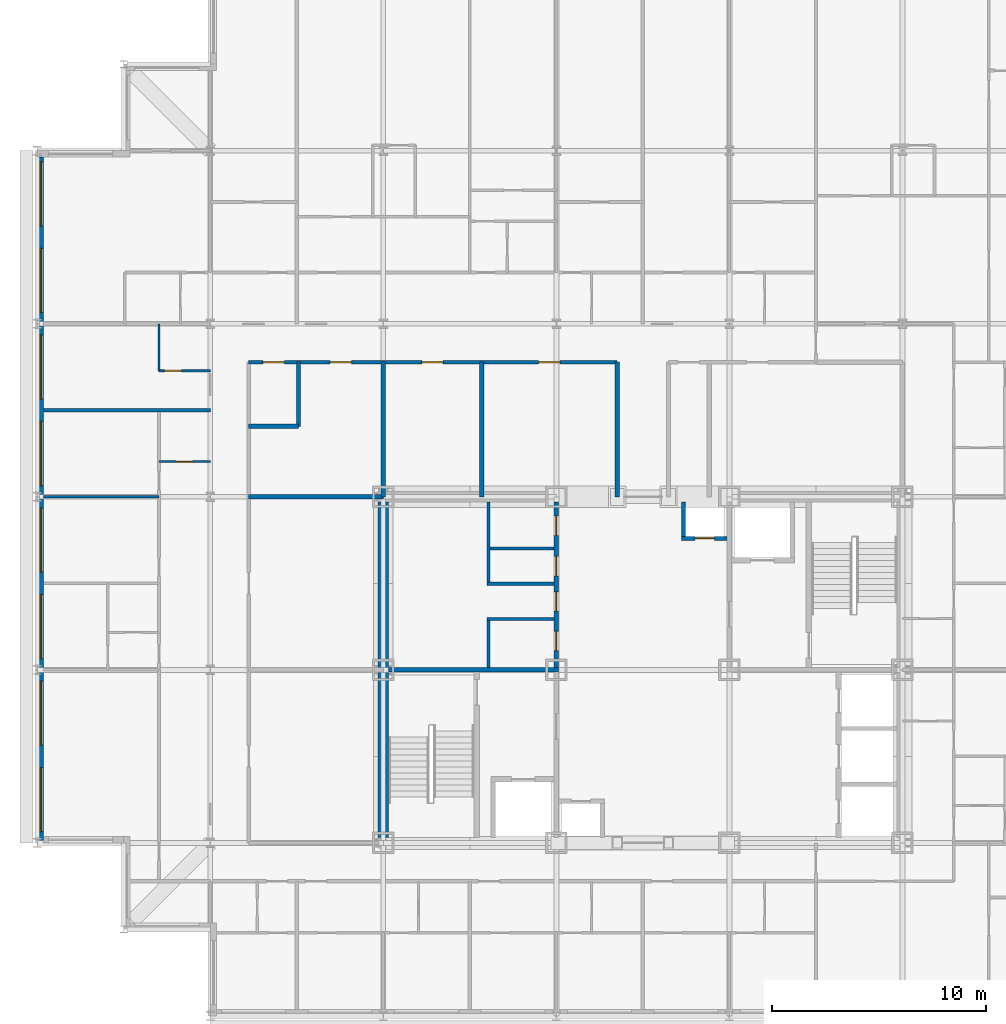
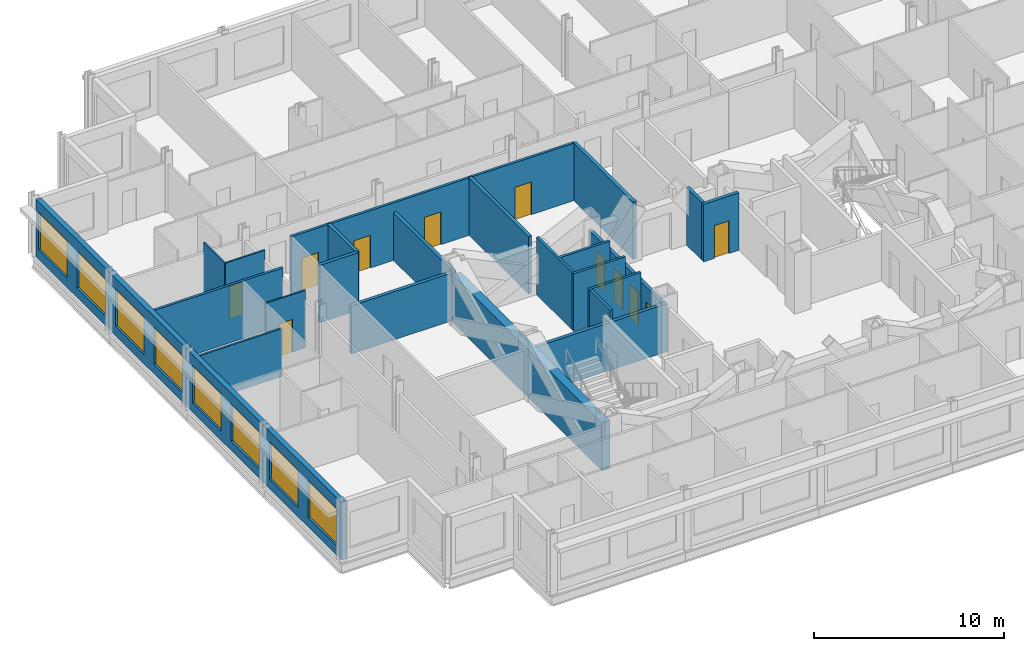
# One storey, part 9 of 16: 23 walls, 11 doors, 8 windows, 19 openings.
"""IFC4 building model written with IfcOpenShell, lengths in metres."""

from ifc_helpers import new_model, si_unit, direction, frame, frame_2d, origin, place, context, subcontext, project, spatial, rectangle, extrude, material, layer, layer_set, type_object, element, fill, save


model = new_model("IFC4")

# Units and contexts
model_context = context("Model", 3, precision=1e-05, world=origin(), true_north=direction((0.0, 1.0)))
body_context = subcontext(model_context, "Body", "Model", "MODEL_VIEW")
ifc_project = project(units=[si_unit("LENGTHUNIT", "METRE"), si_unit("AREAUNIT", "SQUARE_METRE"), si_unit("VOLUMEUNIT", "CUBIC_METRE"), si_unit("PLANEANGLEUNIT", "RADIAN"), si_unit("MASSUNIT", "GRAM", prefix="KILO")], contexts=[model_context])

# Site, building, storey
site_placement = place(None, origin())
site = spatial("IfcSite", under=ifc_project, at=site_placement, CompositionType="ELEMENT")
building_placement = place(site_placement, origin())
building = spatial("IfcBuilding", under=site, at=building_placement, Name="Kopane Lantern Tower", CompositionType="ELEMENT")
storey_placement = place(building_placement, frame((0.0, 0.0, 265.800048828125)))
storey = spatial("IfcBuildingStorey", under=building, at=storey_placement, Name="L68", CompositionType="ELEMENT", Elevation=265.800048828125)

# Wall
ifc_material_1 = material(Name="Gypsum board on steel studs", Category="steel")
ifc_layer_1 = layer(ifc_material_1, 0.1201171875)
ifc_layer_set_1 = layer_set([ifc_layer_1], Name="APARTMENT INTERNAL WALL 120")
wall_type_1 = type_object("IfcWallType", Name="APARTMENT INTERNAL WALL 120", PredefinedType="PARTITIONING", material=ifc_layer_set_1)
wall_1_placement = place(storey_placement, frame((5.699951171875, 40.5, 0.0), z_axis=(0.0, 0.0, 1.0), x_axis=(-1.0, 0.0, 0.0)))
element("IfcWall", 1, at=wall_1_placement, inside=storey, type_object=wall_type_1, Name="Apartment Internal Wall 120 L68", PredefinedType="PARTITIONING", context=body_context, shape_type="SweptSolid", body=[
    extrude(rectangle(XDim=5.39990234375, YDim=0.1201171875, at=frame_2d((2.699951171875, 0.0))), origin(), (0.0, 0.0, 1.0), 3.07763671875),
])

# Wall, opening, door
ifc_material_2 = material(Name="Moisture-resistant board on steel studs", Category="steel")
ifc_layer_2 = layer(ifc_material_2, 0.10009765625)
ifc_layer_set_2 = layer_set([ifc_layer_2], Name="BATHROOM WALL 100")
wall_type_2 = type_object("IfcWallType", Name="BATHROOM WALL 100", PredefinedType="PARTITIONING", material=ifc_layer_set_2)
wall_2_placement = place(storey_placement, frame((8.10009765625, 42.14990234375, 0.0), z_axis=(0.0, 0.0, 1.0), x_axis=(-1.0, 0.0, 0.0)))
wall_2 = element("IfcWall", 2, at=wall_2_placement, inside=storey, type_object=wall_type_2, Name="Bathroom Wall 100 L68", PredefinedType="PARTITIONING", context=body_context, shape_type="SweptSolid", body=[
    extrude(rectangle(XDim=2.400146484375, YDim=0.10009765625, at=frame_2d((1.2001953125, 0.0))), origin(), (0.0, 0.0, 1.0), 3.68994140625),
])
opening_1_placement = place(wall_2_placement, frame((0.800048828125, 0.0, 0.0)))
opening_1 = element("IfcOpeningElement", 3, at=opening_1_placement, cuts=wall_2, Name="Opening L68-031", PredefinedType="OPENING", context=body_context, shape_type="SweptSolid", body=[
    extrude(rectangle(XDim=0.800048828125, YDim=2.10009765625, at=frame_2d((0.39990234375, 1.050048828125))), frame((0.0, 0.06005859375, 0.0), z_axis=(0.0, -1.0, 0.0), x_axis=(1.0, 0.0, 0.0)), (0.0, 0.0, 1.0), 0.1201171875),
])
ifc_material_3 = material(Name="Timber door set", Category="wood")
door_type_1 = type_object("IfcDoorType", Name="DOOR D2 800x2100", OperationType="SINGLE_SWING_LEFT", PredefinedType="DOOR", material=ifc_material_3)
door_1_placement = place(opening_1_placement, origin())
door_1 = element("IfcDoor", 4, at=door_1_placement, inside=storey, type_object=door_type_1, Name="Door L68-031", OperationType="SINGLE_SWING_RIGHT", OverallHeight=2.10009765625, OverallWidth=0.800048828125, PredefinedType="DOOR", context=body_context, shape_type="SweptSolid", body=[
    extrude(rectangle(XDim=0.800048828125, YDim=2.10009765625, at=frame_2d((0.39990234375, 1.050048828125))), frame((0.0, 0.02490234375, 0.0), z_axis=(0.0, -1.0, 0.0), x_axis=(1.0, 0.0, 0.0)), (0.0, 0.0, 1.0), 0.050048828125),
])
fill(opening_1, door_1)

# Wall
wall_3_placement = place(storey_placement, frame((5.699951171875, 46.39990234375, 0.0), z_axis=(0.0, 0.0, 1.0), x_axis=(0.0, 1.0, 0.0)))
element("IfcWall", 5, at=wall_3_placement, inside=storey, type_object=wall_type_2, Name="Bathroom Wall 100 L68", PredefinedType="PARTITIONING", context=body_context, shape_type="SweptSolid", body=[
    extrude(rectangle(XDim=2.2001953125, YDim=0.10009765625, at=frame_2d((1.10009765625, 0.0))), origin(), (0.0, 0.0, 1.0), 3.68994140625),
])

# Wall, opening, door
wall_4_placement = place(storey_placement, frame((8.10009765625, 46.39990234375, 0.0), z_axis=(0.0, 0.0, 1.0), x_axis=(-1.0, 0.0, 0.0)))
wall_4 = element("IfcWall", 6, at=wall_4_placement, inside=storey, type_object=wall_type_2, Name="Bathroom Wall 100 L68", PredefinedType="PARTITIONING", context=body_context, shape_type="SweptSolid", body=[
    extrude(rectangle(XDim=2.400146484375, YDim=0.10009765625, at=frame_2d((1.2001953125, 0.0))), origin(), (0.0, 0.0, 1.0), 3.68994140625),
])
opening_2_placement = place(wall_4_placement, frame((1.35009765625, 0.0, 0.0)))
opening_2 = element("IfcOpeningElement", 7, at=opening_2_placement, cuts=wall_4, Name="Opening L68-038", PredefinedType="OPENING", context=body_context, shape_type="SweptSolid", body=[
    extrude(rectangle(XDim=0.800048828125, YDim=2.10009765625, at=frame_2d((0.39990234375, 1.050048828125))), frame((0.0, 0.06005859375, 0.0), z_axis=(0.0, -1.0, 0.0), x_axis=(1.0, 0.0, 0.0)), (0.0, 0.0, 1.0), 0.1201171875),
])
door_2_placement = place(opening_2_placement, origin())
door_2 = element("IfcDoor", 8, at=door_2_placement, inside=storey, type_object=door_type_1, Name="Door L68-038", OperationType="SINGLE_SWING_LEFT", OverallHeight=2.10009765625, OverallWidth=0.800048828125, PredefinedType="DOOR", context=body_context, shape_type="SweptSolid", body=[
    extrude(rectangle(XDim=0.800048828125, YDim=2.10009765625, at=frame_2d((0.39990234375, 1.050048828125))), frame((0.0, 0.02490234375, 0.0), z_axis=(0.0, -1.0, 0.0), x_axis=(1.0, 0.0, 0.0)), (0.0, 0.0, 1.0), 0.050048828125),
])
fill(opening_2, door_2)

# Walls
ifc_material_4 = material(Name="Gypsum shaft wall EI 120", Category="gypsum")
ifc_layer_3 = layer(ifc_material_4, 0.5)
ifc_layer_set_3 = layer_set([ifc_layer_3], Name="CORE PERIMETER WALL 500 EI 120")
wall_type_3 = type_object("IfcWallType", Name="CORE PERIMETER WALL 500 EI 120", PredefinedType="SOLIDWALL", material=ifc_layer_set_3)
wall_5_placement = place(storey_placement, frame((16.199951171875, 24.550048828125, 0.0), z_axis=(0.0, 0.0, 1.0), x_axis=(0.0, 1.0, 0.0)))
element("IfcWall", 9, at=wall_5_placement, inside=storey, type_object=wall_type_3, Name="Core shaft wall L68 PW", PredefinedType="SOLIDWALL", context=body_context, shape_type="SweptSolid", body=[
    extrude(rectangle(XDim=15.699951171875, YDim=0.5, at=frame_2d((7.85009765625, 0.0))), origin(), (0.0, 0.0, 1.0), 3.07763671875),
])
ifc_material_5 = material(Name="Gypsum partition EI 60", Category="gypsum")
ifc_layer_4 = layer(ifc_material_5, 0.14990234375)
ifc_layer_set_4 = layer_set([ifc_layer_4], Name="CORE ROOM PARTITION 150 EI 60")
wall_type_4 = type_object("IfcWallType", Name="CORE ROOM PARTITION 150 EI 60", PredefinedType="PARTITIONING", material=ifc_layer_set_4)
for number, where, z_axis, x_axis, name in (
    (10, (21.050048828125, 34.77490234375, 0.0), (0.0, 0.0, 1.0), (1.0, 0.0, 0.0), "Core room partition L68 WW1"),
    (11, (21.050048828125, 36.425048828125, 0.0), (0.0, 0.0, 1.0), (1.0, 0.0, 0.0), "Core room partition L68 WW2"),
):
    element("IfcWall", number, at=place(storey_placement, frame(where, z_axis=z_axis, x_axis=x_axis)), inside=storey, type_object=wall_type_4, Name=name, PredefinedType="PARTITIONING", context=body_context, shape_type="SweptSolid", body=[
        extrude(rectangle(XDim=3.14990234375, YDim=0.14990234375, at=frame_2d((1.574951171875, 0.0))), origin(), (0.0, 0.0, 1.0), 3.68994140625),
    ])
wall_6_placement = place(storey_placement, frame((21.199951171875, 38.074951171875, 0.0), z_axis=(0.0, 0.0, 1.0), x_axis=(1.0, 0.0, 0.0)))
element("IfcWall", 12, at=wall_6_placement, inside=storey, type_object=wall_type_4, Name="Core room partition L68 WW3", PredefinedType="PARTITIONING", context=body_context, shape_type="SweptSolid", body=[
    extrude(rectangle(XDim=3.0, YDim=0.14990234375, at=frame_2d((1.5, 0.0))), origin(), (0.0, 0.0, 1.0), 3.68994140625),
])
wall_7_placement = place(storey_placement, frame((21.125, 32.5, 0.0), z_axis=(0.0, 0.0, 1.0), x_axis=(0.0, 1.0, 0.0)))
element("IfcWall", 13, at=wall_7_placement, inside=storey, type_object=wall_type_4, Name="Core room partition L68 WWB0", PredefinedType="PARTITIONING", context=body_context, shape_type="SweptSolid", body=[
    extrude(rectangle(XDim=2.199951171875, YDim=0.14990234375, at=frame_2d((1.10009765625, 0.0))), origin(), (0.0, 0.0, 1.0), 3.68994140625),
])
wall_8_placement = place(storey_placement, frame((21.125, 36.5, 0.0), z_axis=(0.0, 0.0, 1.0), x_axis=(0.0, 1.0, 0.0)))
element("IfcWall", 14, at=wall_8_placement, inside=storey, type_object=wall_type_4, Name="Core room partition L68 WWB1", PredefinedType="PARTITIONING", context=body_context, shape_type="SweptSolid", body=[
    extrude(rectangle(XDim=3.75, YDim=0.14990234375, at=frame_2d((1.875, 0.0))), origin(), (0.0, 0.0, 1.0), 3.68994140625),
])

# Wall, openings, doors
ifc_material_6 = material(Name="Gypsum partition EI 60", Category="gypsum")
ifc_layer_5 = layer(ifc_material_6, 0.199951171875)
ifc_layer_set_5 = layer_set([ifc_layer_5], Name="CORE ROOM WALL 200 EI 60")
wall_type_5 = type_object("IfcWallType", Name="CORE ROOM WALL 200 EI 60", PredefinedType="PARTITIONING", material=ifc_layer_set_5)
wall_9_placement = place(storey_placement, frame((24.300048828125, 32.5, 0.0), z_axis=(0.0, 0.0, 1.0), x_axis=(0.0, 1.0, 0.0)))
wall_9 = element("IfcWall", 15, at=wall_9_placement, inside=storey, type_object=wall_type_5, Name="Core room wall L68 XW", PredefinedType="PARTITIONING", context=body_context, shape_type="SweptSolid", body=[
    extrude(rectangle(XDim=7.75, YDim=0.199951171875, at=frame_2d((3.875, 0.0))), origin(), (0.0, 0.0, 1.0), 3.07763671875),
])
opening_3_placement = place(wall_9_placement, frame((0.800048828125, 0.0, 0.0)))
opening_3 = element("IfcOpeningElement", 16, at=opening_3_placement, cuts=wall_9, Name="Opening 68.C30", PredefinedType="OPENING", context=body_context, shape_type="SweptSolid", body=[
    extrude(rectangle(XDim=0.89990234375, YDim=2.10009765625, at=frame_2d((0.449951171875, 1.050048828125))), frame((0.0, 0.10986328125, 0.0), z_axis=(0.0, -1.0, 0.0), x_axis=(1.0, 0.0, 0.0)), (0.0, 0.0, 1.0), 0.219970703125),
])
opening_4_placement = place(wall_9_placement, frame((2.64990234375, 0.0, 0.0)))
opening_4 = element("IfcOpeningElement", 17, at=opening_4_placement, cuts=wall_9, Name="Opening 68.C31", PredefinedType="OPENING", context=body_context, shape_type="SweptSolid", body=[
    extrude(rectangle(XDim=0.89990234375, YDim=2.10009765625, at=frame_2d((0.449951171875, 1.050048828125))), frame((0.0, 0.10986328125, 0.0), z_axis=(0.0, -1.0, 0.0), x_axis=(1.0, 0.0, 0.0)), (0.0, 0.0, 1.0), 0.219970703125),
])
opening_5_placement = place(wall_9_placement, frame((4.300048828125, 0.0, 0.0)))
opening_5 = element("IfcOpeningElement", 18, at=opening_5_placement, cuts=wall_9, Name="Opening 68.C32", PredefinedType="OPENING", context=body_context, shape_type="SweptSolid", body=[
    extrude(rectangle(XDim=0.89990234375, YDim=2.10009765625, at=frame_2d((0.449951171875, 1.050048828125))), frame((0.0, 0.10986328125, 0.0), z_axis=(0.0, -1.0, 0.0), x_axis=(1.0, 0.0, 0.0)), (0.0, 0.0, 1.0), 0.219970703125),
])
opening_6_placement = place(wall_9_placement, frame((6.199951171875, 0.0, 0.0)))
opening_6 = element("IfcOpeningElement", 19, at=opening_6_placement, cuts=wall_9, Name="Opening 68.C33", PredefinedType="OPENING", context=body_context, shape_type="SweptSolid", body=[
    extrude(rectangle(XDim=0.89990234375, YDim=2.10009765625, at=frame_2d((0.449951171875, 1.050048828125))), frame((0.0, 0.10986328125, 0.0), z_axis=(0.0, -1.0, 0.0), x_axis=(1.0, 0.0, 0.0)), (0.0, 0.0, 1.0), 0.219970703125),
])
ifc_material_7 = material(Name="Steel door set", Category="steel")
door_type_2 = type_object("IfcDoorType", Name="CORE ROOM DOOR 900x2100 FD60", OperationType="SINGLE_SWING_LEFT", PredefinedType="DOOR", material=ifc_material_7)
door_3_placement = place(opening_3_placement, origin())
door_3 = element("IfcDoor", 20, at=door_3_placement, inside=storey, type_object=door_type_2, Name="Door Refuse room L68", OperationType="SINGLE_SWING_RIGHT", OverallHeight=2.10009765625, OverallWidth=0.89990234375, PredefinedType="DOOR", context=body_context, shape_type="SweptSolid", body=[
    extrude(rectangle(XDim=0.89990234375, YDim=2.10009765625, at=frame_2d((0.449951171875, 1.050048828125))), frame((0.0, 0.02490234375, 0.0), z_axis=(0.0, -1.0, 0.0), x_axis=(1.0, 0.0, 0.0)), (0.0, 0.0, 1.0), 0.050048828125),
])
fill(opening_3, door_3)
door_4_placement = place(opening_4_placement, origin())
door_4 = element("IfcDoor", 21, at=door_4_placement, inside=storey, type_object=door_type_2, Name="Door Residents storage L68", OperationType="SINGLE_SWING_RIGHT", OverallHeight=2.10009765625, OverallWidth=0.89990234375, PredefinedType="DOOR", context=body_context, shape_type="SweptSolid", body=[
    extrude(rectangle(XDim=0.89990234375, YDim=2.10009765625, at=frame_2d((0.449951171875, 1.050048828125))), frame((0.0, 0.02490234375, 0.0), z_axis=(0.0, -1.0, 0.0), x_axis=(1.0, 0.0, 0.0)), (0.0, 0.0, 1.0), 0.050048828125),
])
fill(opening_4, door_4)
door_5_placement = place(opening_5_placement, origin())
door_5 = element("IfcDoor", 22, at=door_5_placement, inside=storey, type_object=door_type_2, Name="Door Cleaner store L68", OperationType="SINGLE_SWING_LEFT", OverallHeight=2.10009765625, OverallWidth=0.89990234375, PredefinedType="DOOR", context=body_context, shape_type="SweptSolid", body=[
    extrude(rectangle(XDim=0.89990234375, YDim=2.10009765625, at=frame_2d((0.449951171875, 1.050048828125))), frame((0.0, 0.02490234375, 0.0), z_axis=(0.0, -1.0, 0.0), x_axis=(1.0, 0.0, 0.0)), (0.0, 0.0, 1.0), 0.050048828125),
])
fill(opening_5, door_5)
door_6_placement = place(opening_6_placement, origin())
door_6 = element("IfcDoor", 23, at=door_6_placement, inside=storey, type_object=door_type_2, Name="Door IT room L68", OperationType="SINGLE_SWING_LEFT", OverallHeight=2.10009765625, OverallWidth=0.89990234375, PredefinedType="DOOR", context=body_context, shape_type="SweptSolid", body=[
    extrude(rectangle(XDim=0.89990234375, YDim=2.10009765625, at=frame_2d((0.449951171875, 1.050048828125))), frame((0.0, 0.02490234375, 0.0), z_axis=(0.0, -1.0, 0.0), x_axis=(1.0, 0.0, 0.0)), (0.0, 0.0, 1.0), 0.050048828125),
])
fill(opening_6, door_6)

ifc_material_8 = material(Name="Gypsum board on steel studs", Category="steel")
ifc_layer_6 = layer(ifc_material_8, 0.14990234375)
ifc_layer_set_6 = layer_set([ifc_layer_6], Name="CORRIDOR WALL 150 EI 60")
wall_type_6 = type_object("IfcWallType", Name="CORRIDOR WALL 150 EI 60", PredefinedType="PARTITIONING", material=ifc_layer_set_6)
wall_10_placement = place(storey_placement, frame((9.89990234375, 46.800048828125, 0.0), z_axis=(0.0, 0.0, 1.0), x_axis=(1.0, 0.0, 0.0)))
wall_10 = element("IfcWall", 24, at=wall_10_placement, inside=storey, type_object=wall_type_6, Name="Corridor Wall 150 Ei 60 L68", PredefinedType="PARTITIONING", context=body_context, shape_type="SweptSolid", body=[
    extrude(rectangle(XDim=17.239990234375, YDim=0.14990234375, at=frame_2d((8.6201171875, 0.0))), origin(), (0.0, 0.0, 1.0), 3.68994140625),
])
opening_7_placement = place(wall_10_placement, frame((0.666748046875, 0.0, 0.0)))
opening_7 = element("IfcOpeningElement", 25, at=opening_7_placement, cuts=wall_10, Name="Opening L68-003", PredefinedType="OPENING", context=body_context, shape_type="SweptSolid", body=[
    extrude(rectangle(XDim=1.0, YDim=2.10009765625, at=frame_2d((0.5, 1.050048828125))), frame((0.0, 0.0849609375, 0.0), z_axis=(0.0, -1.0, 0.0), x_axis=(1.0, 0.0, 0.0)), (0.0, 0.0, 1.0), 0.169921875),
])
opening_8_placement = place(wall_10_placement, frame((3.816650390625, 0.0, 0.0)))
opening_8 = element("IfcOpeningElement", 26, at=opening_8_placement, cuts=wall_10, Name="Opening L68-004", PredefinedType="OPENING", context=body_context, shape_type="SweptSolid", body=[
    extrude(rectangle(XDim=1.0, YDim=2.10009765625, at=frame_2d((0.5, 1.050048828125))), frame((0.0, 0.0849609375, 0.0), z_axis=(0.0, -1.0, 0.0), x_axis=(1.0, 0.0, 0.0)), (0.0, 0.0, 1.0), 0.169921875),
])
opening_9_placement = place(wall_10_placement, frame((8.1015625, 0.0, 0.0)))
opening_9 = element("IfcOpeningElement", 27, at=opening_9_placement, cuts=wall_10, Name="Opening L68-005", PredefinedType="OPENING", context=body_context, shape_type="SweptSolid", body=[
    extrude(rectangle(XDim=1.0, YDim=2.10009765625, at=frame_2d((0.5, 1.050048828125))), frame((0.0, 0.0849609375, 0.0), z_axis=(0.0, -1.0, 0.0), x_axis=(1.0, 0.0, 0.0)), (0.0, 0.0, 1.0), 0.169921875),
])
opening_10_placement = place(wall_10_placement, frame((13.57666015625, 0.0, 0.0)))
opening_10 = element("IfcOpeningElement", 28, at=opening_10_placement, cuts=wall_10, Name="Opening L68-006", PredefinedType="OPENING", context=body_context, shape_type="SweptSolid", body=[
    extrude(rectangle(XDim=1.0, YDim=2.10009765625, at=frame_2d((0.5, 1.050048828125))), frame((0.0, 0.0849609375, 0.0), z_axis=(0.0, -1.0, 0.0), x_axis=(1.0, 0.0, 0.0)), (0.0, 0.0, 1.0), 0.169921875),
])
ifc_material_9 = material(Name="Steel door set", Category="steel")
door_type_3 = type_object("IfcDoorType", Name="DOOR D5 1000x2100 FD60", OperationType="SINGLE_SWING_LEFT", PredefinedType="DOOR", material=ifc_material_9)
door_7_placement = place(opening_7_placement, origin())
door_7 = element("IfcDoor", 29, at=door_7_placement, inside=storey, type_object=door_type_3, Name="Door L68-003", OperationType="SINGLE_SWING_RIGHT", OverallHeight=2.10009765625, OverallWidth=1.0, PredefinedType="DOOR", context=body_context, shape_type="SweptSolid", body=[
    extrude(rectangle(XDim=1.0, YDim=2.10009765625, at=frame_2d((0.5, 1.050048828125))), frame((0.0, 0.02490234375, 0.0), z_axis=(0.0, -1.0, 0.0), x_axis=(1.0, 0.0, 0.0)), (0.0, 0.0, 1.0), 0.050048828125),
])
fill(opening_7, door_7)
door_8_placement = place(opening_8_placement, origin())
door_8 = element("IfcDoor", 30, at=door_8_placement, inside=storey, type_object=door_type_3, Name="Door L68-004", OperationType="SINGLE_SWING_LEFT", OverallHeight=2.10009765625, OverallWidth=1.0, PredefinedType="DOOR", context=body_context, shape_type="SweptSolid", body=[
    extrude(rectangle(XDim=1.0, YDim=2.10009765625, at=frame_2d((0.5, 1.050048828125))), frame((0.0, 0.02490234375, 0.0), z_axis=(0.0, -1.0, 0.0), x_axis=(1.0, 0.0, 0.0)), (0.0, 0.0, 1.0), 0.050048828125),
])
fill(opening_8, door_8)
door_9_placement = place(opening_9_placement, origin())
door_9 = element("IfcDoor", 31, at=door_9_placement, inside=storey, type_object=door_type_3, Name="Door L68-005", OperationType="SINGLE_SWING_RIGHT", OverallHeight=2.10009765625, OverallWidth=1.0, PredefinedType="DOOR", context=body_context, shape_type="SweptSolid", body=[
    extrude(rectangle(XDim=1.0, YDim=2.10009765625, at=frame_2d((0.5, 1.050048828125))), frame((0.0, 0.02490234375, 0.0), z_axis=(0.0, -1.0, 0.0), x_axis=(1.0, 0.0, 0.0)), (0.0, 0.0, 1.0), 0.050048828125),
])
fill(opening_9, door_9)
door_10_placement = place(opening_10_placement, origin())
door_10 = element("IfcDoor", 32, at=door_10_placement, inside=storey, type_object=door_type_3, Name="Door L68-006", OperationType="SINGLE_SWING_LEFT", OverallHeight=2.10009765625, OverallWidth=1.0, PredefinedType="DOOR", context=body_context, shape_type="SweptSolid", body=[
    extrude(rectangle(XDim=1.0, YDim=2.10009765625, at=frame_2d((0.5, 1.050048828125))), frame((0.0, 0.02490234375, 0.0), z_axis=(0.0, -1.0, 0.0), x_axis=(1.0, 0.0, 0.0)), (0.0, 0.0, 1.0), 0.050048828125),
])
fill(opening_10, door_10)

# Wall
ifc_material_10 = material(Name="Gypsum board on steel studs", Category="steel")
ifc_layer_7 = layer(ifc_material_10, 0.14990234375)
ifc_layer_set_7 = layer_set([ifc_layer_7], Name="DEMISING WALL 150 EI 60")
wall_type_7 = type_object("IfcWallType", Name="DEMISING WALL 150 EI 60", PredefinedType="PARTITIONING", material=ifc_layer_set_7)
wall_11_placement = place(storey_placement, frame((8.10009765625, 44.550048828125, 0.0), z_axis=(0.0, 0.0, 1.0), x_axis=(-1.0, 0.0, 0.0)))
element("IfcWall", 33, at=wall_11_placement, inside=storey, type_object=wall_type_7, Name="Demising Wall 150 Ei 60 L68", PredefinedType="PARTITIONING", context=body_context, shape_type="SweptSolid", body=[
    extrude(rectangle(XDim=7.800048828125, YDim=0.14990234375, at=frame_2d((3.89990234375, 0.0))), origin(), (0.0, 0.0, 1.0), 3.68994140625),
])

# Wall, openings, windows
ifc_material_11 = material(Name="Terracotta rainscreen on light steel framing", Category="masonry")
ifc_layer_8 = layer(ifc_material_11, 0.300048828125)
ifc_layer_set_8 = layer_set([ifc_layer_8], Name="EXTERNAL WALL EW1 300 TERRACOTTA")
wall_type_8 = type_object("IfcWallType", Name="EXTERNAL WALL EW1 300 TERRACOTTA", PredefinedType="SOLIDWALL", material=ifc_layer_set_8)
wall_12_placement = place(storey_placement, frame((0.14990234375, 56.39990234375, 0.0), z_axis=(0.0, 0.0, 1.0), x_axis=(0.0, -1.0, 0.0)))
wall_12 = element("IfcWall", 34, at=wall_12_placement, inside=storey, type_object=wall_type_8, Name="External wall W L68", PredefinedType="SOLIDWALL", context=body_context, shape_type="SweptSolid", body=[
    extrude(rectangle(XDim=32.099853515625, YDim=0.300048828125, at=frame_2d((16.0498046875, 0.0))), origin(), (0.0, 0.0, 1.0), 3.68994140625),
])
opening_11_placement = place(wall_12_placement, frame((0.22509765625, 0.0, 0.60009765625)))
opening_11 = element("IfcOpeningElement", 35, at=opening_11_placement, cuts=wall_12, Name="Opening WR300240", PredefinedType="OPENING", context=body_context, shape_type="SweptSolid", body=[
    extrude(rectangle(XDim=3.0, YDim=2.39990234375, at=frame_2d((1.5, 1.199951171875))), frame((0.0, 0.159912109375, 0.0), z_axis=(0.0, -1.0, 0.0), x_axis=(1.0, 0.0, 0.0)), (0.0, 0.0, 1.0), 0.320068359375),
])
opening_12_placement = place(wall_12_placement, frame((4.27490234375, 0.0, 0.60009765625)))
opening_12 = element("IfcOpeningElement", 36, at=opening_12_placement, cuts=wall_12, Name="Opening WR300240", PredefinedType="OPENING", context=body_context, shape_type="SweptSolid", body=[
    extrude(rectangle(XDim=3.0, YDim=2.39990234375, at=frame_2d((1.5, 1.199951171875))), frame((0.0, 0.159912109375, 0.0), z_axis=(0.0, -1.0, 0.0), x_axis=(1.0, 0.0, 0.0)), (0.0, 0.0, 1.0), 0.320068359375),
])
opening_13_placement = place(wall_12_placement, frame((8.324951171875, 0.0, 0.60009765625)))
opening_13 = element("IfcOpeningElement", 37, at=opening_13_placement, cuts=wall_12, Name="Opening WR300240", PredefinedType="OPENING", context=body_context, shape_type="SweptSolid", body=[
    extrude(rectangle(XDim=3.0, YDim=2.39990234375, at=frame_2d((1.5, 1.199951171875))), frame((0.0, 0.159912109375, 0.0), z_axis=(0.0, -1.0, 0.0), x_axis=(1.0, 0.0, 0.0)), (0.0, 0.0, 1.0), 0.320068359375),
])
opening_14_placement = place(wall_12_placement, frame((12.375, 0.0, 0.60009765625)))
opening_14 = element("IfcOpeningElement", 38, at=opening_14_placement, cuts=wall_12, Name="Opening WR300240", PredefinedType="OPENING", context=body_context, shape_type="SweptSolid", body=[
    extrude(rectangle(XDim=3.0, YDim=2.39990234375, at=frame_2d((1.5, 1.199951171875))), frame((0.0, 0.159912109375, 0.0), z_axis=(0.0, -1.0, 0.0), x_axis=(1.0, 0.0, 0.0)), (0.0, 0.0, 1.0), 0.320068359375),
])
opening_15_placement = place(wall_12_placement, frame((16.425048828125, 0.0, 0.60009765625)))
opening_15 = element("IfcOpeningElement", 39, at=opening_15_placement, cuts=wall_12, Name="Opening WR300240", PredefinedType="OPENING", context=body_context, shape_type="SweptSolid", body=[
    extrude(rectangle(XDim=3.0, YDim=2.39990234375, at=frame_2d((1.5, 1.199951171875))), frame((0.0, 0.159912109375, 0.0), z_axis=(0.0, -1.0, 0.0), x_axis=(1.0, 0.0, 0.0)), (0.0, 0.0, 1.0), 0.320068359375),
])
opening_16_placement = place(wall_12_placement, frame((20.47509765625, 0.0, 0.60009765625)))
opening_16 = element("IfcOpeningElement", 40, at=opening_16_placement, cuts=wall_12, Name="Opening WR300240", PredefinedType="OPENING", context=body_context, shape_type="SweptSolid", body=[
    extrude(rectangle(XDim=3.0, YDim=2.39990234375, at=frame_2d((1.5, 1.199951171875))), frame((0.0, 0.159912109375, 0.0), z_axis=(0.0, -1.0, 0.0), x_axis=(1.0, 0.0, 0.0)), (0.0, 0.0, 1.0), 0.320068359375),
])
opening_17_placement = place(wall_12_placement, frame((24.52490234375, 0.0, 0.60009765625)))
opening_17 = element("IfcOpeningElement", 41, at=opening_17_placement, cuts=wall_12, Name="Opening WR300240", PredefinedType="OPENING", context=body_context, shape_type="SweptSolid", body=[
    extrude(rectangle(XDim=3.0, YDim=2.39990234375, at=frame_2d((1.5, 1.199951171875))), frame((0.0, 0.159912109375, 0.0), z_axis=(0.0, -1.0, 0.0), x_axis=(1.0, 0.0, 0.0)), (0.0, 0.0, 1.0), 0.320068359375),
])
opening_18_placement = place(wall_12_placement, frame((28.574951171875, 0.0, 0.60009765625)))
opening_18 = element("IfcOpeningElement", 42, at=opening_18_placement, cuts=wall_12, Name="Opening WR300240", PredefinedType="OPENING", context=body_context, shape_type="SweptSolid", body=[
    extrude(rectangle(XDim=3.0, YDim=2.39990234375, at=frame_2d((1.5, 1.199951171875))), frame((0.0, 0.159912109375, 0.0), z_axis=(0.0, -1.0, 0.0), x_axis=(1.0, 0.0, 0.0)), (0.0, 0.0, 1.0), 0.320068359375),
])
ifc_material_12 = material(Name="Aluminium and clear glass", Category="aluminium")
window_type = type_object("IfcWindowType", Name="RIBBON WINDOW WR300240 3000x2400", PartitioningType="SINGLE_PANEL", PredefinedType="WINDOW", material=ifc_material_12)
window_1_placement = place(opening_11_placement, origin())
window_1 = element("IfcWindow", 43, at=window_1_placement, inside=storey, type_object=window_type, Name="Window W L68", OverallHeight=2.39990234375, OverallWidth=3.0, PartitioningType="SINGLE_PANEL", PredefinedType="WINDOW", context=body_context, shape_type="SweptSolid", body=[
    extrude(rectangle(XDim=3.0, YDim=2.39990234375, at=frame_2d((1.5, 1.199951171875))), frame((0.0, 0.030029296875, 0.0), z_axis=(0.0, -1.0, 0.0), x_axis=(1.0, 0.0, 0.0)), (0.0, 0.0, 1.0), 0.06005859375),
])
fill(opening_11, window_1)
window_2_placement = place(opening_12_placement, origin())
window_2 = element("IfcWindow", 44, at=window_2_placement, inside=storey, type_object=window_type, Name="Window W L68", OverallHeight=2.39990234375, OverallWidth=3.0, PartitioningType="SINGLE_PANEL", PredefinedType="WINDOW", context=body_context, shape_type="SweptSolid", body=[
    extrude(rectangle(XDim=3.0, YDim=2.39990234375, at=frame_2d((1.5, 1.199951171875))), frame((0.0, 0.030029296875, 0.0), z_axis=(0.0, -1.0, 0.0), x_axis=(1.0, 0.0, 0.0)), (0.0, 0.0, 1.0), 0.06005859375),
])
fill(opening_12, window_2)
window_3_placement = place(opening_13_placement, origin())
window_3 = element("IfcWindow", 45, at=window_3_placement, inside=storey, type_object=window_type, Name="Window W L68", OverallHeight=2.39990234375, OverallWidth=3.0, PartitioningType="SINGLE_PANEL", PredefinedType="WINDOW", context=body_context, shape_type="SweptSolid", body=[
    extrude(rectangle(XDim=3.0, YDim=2.39990234375, at=frame_2d((1.5, 1.199951171875))), frame((0.0, 0.030029296875, 0.0), z_axis=(0.0, -1.0, 0.0), x_axis=(1.0, 0.0, 0.0)), (0.0, 0.0, 1.0), 0.06005859375),
])
fill(opening_13, window_3)
window_4_placement = place(opening_14_placement, origin())
window_4 = element("IfcWindow", 46, at=window_4_placement, inside=storey, type_object=window_type, Name="Window W L68", OverallHeight=2.39990234375, OverallWidth=3.0, PartitioningType="SINGLE_PANEL", PredefinedType="WINDOW", context=body_context, shape_type="SweptSolid", body=[
    extrude(rectangle(XDim=3.0, YDim=2.39990234375, at=frame_2d((1.5, 1.199951171875))), frame((0.0, 0.030029296875, 0.0), z_axis=(0.0, -1.0, 0.0), x_axis=(1.0, 0.0, 0.0)), (0.0, 0.0, 1.0), 0.06005859375),
])
fill(opening_14, window_4)
window_5_placement = place(opening_15_placement, origin())
window_5 = element("IfcWindow", 47, at=window_5_placement, inside=storey, type_object=window_type, Name="Window W L68", OverallHeight=2.39990234375, OverallWidth=3.0, PartitioningType="SINGLE_PANEL", PredefinedType="WINDOW", context=body_context, shape_type="SweptSolid", body=[
    extrude(rectangle(XDim=3.0, YDim=2.39990234375, at=frame_2d((1.5, 1.199951171875))), frame((0.0, 0.030029296875, 0.0), z_axis=(0.0, -1.0, 0.0), x_axis=(1.0, 0.0, 0.0)), (0.0, 0.0, 1.0), 0.06005859375),
])
fill(opening_15, window_5)
window_6_placement = place(opening_16_placement, origin())
window_6 = element("IfcWindow", 48, at=window_6_placement, inside=storey, type_object=window_type, Name="Window W L68", OverallHeight=2.39990234375, OverallWidth=3.0, PartitioningType="SINGLE_PANEL", PredefinedType="WINDOW", context=body_context, shape_type="SweptSolid", body=[
    extrude(rectangle(XDim=3.0, YDim=2.39990234375, at=frame_2d((1.5, 1.199951171875))), frame((0.0, 0.030029296875, 0.0), z_axis=(0.0, -1.0, 0.0), x_axis=(1.0, 0.0, 0.0)), (0.0, 0.0, 1.0), 0.06005859375),
])
fill(opening_16, window_6)
window_7_placement = place(opening_17_placement, origin())
window_7 = element("IfcWindow", 49, at=window_7_placement, inside=storey, type_object=window_type, Name="Window W L68", OverallHeight=2.39990234375, OverallWidth=3.0, PartitioningType="SINGLE_PANEL", PredefinedType="WINDOW", context=body_context, shape_type="SweptSolid", body=[
    extrude(rectangle(XDim=3.0, YDim=2.39990234375, at=frame_2d((1.5, 1.199951171875))), frame((0.0, 0.030029296875, 0.0), z_axis=(0.0, -1.0, 0.0), x_axis=(1.0, 0.0, 0.0)), (0.0, 0.0, 1.0), 0.06005859375),
])
fill(opening_17, window_7)
window_8_placement = place(opening_18_placement, origin())
window_8 = element("IfcWindow", 50, at=window_8_placement, inside=storey, type_object=window_type, Name="Window W L68", OverallHeight=2.39990234375, OverallWidth=3.0, PartitioningType="SINGLE_PANEL", PredefinedType="WINDOW", context=body_context, shape_type="SweptSolid", body=[
    extrude(rectangle(XDim=3.0, YDim=2.39990234375, at=frame_2d((1.5, 1.199951171875))), frame((0.0, 0.030029296875, 0.0), z_axis=(0.0, -1.0, 0.0), x_axis=(1.0, 0.0, 0.0)), (0.0, 0.0, 1.0), 0.06005859375),
])
fill(opening_18, window_8)

# Walls
ifc_material_13 = material(Name="Concrete masonry", Category="masonry")
ifc_layer_9 = layer(ifc_material_13, 0.199951171875)
ifc_layer_set_9 = layer_set([ifc_layer_9], Name="PLANT ROOM WALL 200 EI 120")
wall_type_9 = type_object("IfcWallType", Name="PLANT ROOM WALL 200 EI 120", PredefinedType="SOLIDWALL", material=ifc_layer_set_9)
wall_13_placement = place(storey_placement, frame((16.199951171875, 40.5, 0.0), z_axis=(0.0, 0.0, 1.0), x_axis=(0.0, 1.0, 0.0)))
element("IfcWall", 51, at=wall_13_placement, inside=storey, type_object=wall_type_9, Name="Plant Room Wall 200 Ei 120 L68", PredefinedType="SOLIDWALL", context=body_context, shape_type="SweptSolid", body=[
    extrude(rectangle(XDim=6.300048828125, YDim=0.199951171875, at=frame_2d((3.14990234375, 0.0))), origin(), (0.0, 0.0, 1.0), 3.07763671875),
])
wall_14_placement = place(storey_placement, frame((12.2333984375, 46.800048828125, 0.0), z_axis=(0.0, 0.0, 1.0), x_axis=(0.0, -1.0, 0.0)))
element("IfcWall", 52, at=wall_14_placement, inside=storey, type_object=wall_type_9, Name="Plant Room Wall 200 Ei 120 L68", PredefinedType="SOLIDWALL", context=body_context, shape_type="SweptSolid", body=[
    extrude(rectangle(XDim=3.0, YDim=0.199951171875, at=frame_2d((1.5, 0.0))), origin(), (0.0, 0.0, 1.0), 3.68994140625),
])
wall_15_placement = place(storey_placement, frame((9.89990234375, 43.800048828125, 0.0), z_axis=(0.0, 0.0, 1.0), x_axis=(1.0, 0.0, 0.0)))
element("IfcWall", 53, at=wall_15_placement, inside=storey, type_object=wall_type_9, Name="Plant Room Wall 200 Ei 120 L68", PredefinedType="SOLIDWALL", context=body_context, shape_type="SweptSolid", body=[
    extrude(rectangle(XDim=2.33349609375, YDim=0.199951171875, at=frame_2d((1.166748046875, 0.0))), origin(), (0.0, 0.0, 1.0), 3.68994140625),
])
for number, where, z_axis, x_axis, name in (
    (54, (20.80322265625, 46.800048828125, 0.0), (0.0, 0.0, 1.0), (0.0, -1.0, 0.0), "Plant Room Wall 200 Ei 120 L68"),
    (55, (27.14990234375, 40.5, 0.0), (0.0, 0.0, 1.0), (0.0, 1.0, 0.0), "Plant Room Wall 200 Ei 120 L68"),
):
    element("IfcWall", number, at=place(storey_placement, frame(where, z_axis=z_axis, x_axis=x_axis)), inside=storey, type_object=wall_type_9, Name=name, PredefinedType="SOLIDWALL", context=body_context, shape_type="SweptSolid", body=[
        extrude(rectangle(XDim=6.300048828125, YDim=0.199951171875, at=frame_2d((3.14990234375, 0.0))), origin(), (0.0, 0.0, 1.0), 3.68994140625),
    ])
wall_16_placement = place(storey_placement, frame((9.89990234375, 40.5, 0.0), z_axis=(0.0, 0.0, 1.0), x_axis=(1.0, 0.0, 0.0)))
element("IfcWall", 56, at=wall_16_placement, inside=storey, type_object=wall_type_9, Name="Plant Room Wall 200 Ei 120 L68", PredefinedType="SOLIDWALL", context=body_context, shape_type="SweptSolid", body=[
    extrude(rectangle(XDim=6.300048828125, YDim=0.199951171875, at=frame_2d((3.14990234375, 0.0))), origin(), (0.0, 0.0, 1.0), 3.07763671875),
])
ifc_material_14 = material(Name="Gypsum shaft wall EI 120", Category="gypsum")
ifc_layer_10 = layer(ifc_material_14, 0.199951171875)
ifc_layer_set_10 = layer_set([ifc_layer_10], Name="SHAFT WALL 200 EI 120")
wall_type_10 = type_object("IfcWallType", Name="SHAFT WALL 200 EI 120", PredefinedType="SOLIDWALL", material=ifc_layer_set_10)
wall_17_placement = place(storey_placement, frame((16.449951171875, 32.39990234375, 0.0), z_axis=(0.0, 0.0, 1.0), x_axis=(1.0, 0.0, 0.0)))
element("IfcWall", 57, at=wall_17_placement, inside=storey, type_object=wall_type_10, Name="Core shaft wall L68 Y324W", PredefinedType="SOLIDWALL", context=body_context, shape_type="SweptSolid", body=[
    extrude(rectangle(XDim=7.949951171875, YDim=0.199951171875, at=frame_2d((3.97509765625, 0.0))), origin(), (0.0, 0.0, 1.0), 3.07763671875),
])
wall_18_placement = place(storey_placement, frame((30.25, 38.64990234375, 0.0), z_axis=(0.0, 0.0, 1.0), x_axis=(0.0, 1.0, 0.0)))
element("IfcWall", 58, at=wall_18_placement, inside=storey, type_object=wall_type_10, Name="Core shaft wall L68 XRS2", PredefinedType="SOLIDWALL", context=body_context, shape_type="SweptSolid", body=[
    extrude(rectangle(XDim=1.60009765625, YDim=0.199951171875, at=frame_2d((0.800048828125, 0.0))), origin(), (0.0, 0.0, 1.0), 3.68994140625),
])

# Wall, opening, door
wall_19_placement = place(storey_placement, frame((30.14990234375, 38.550048828125, 0.0), z_axis=(0.0, 0.0, 1.0), x_axis=(1.0, 0.0, 0.0)))
wall_19 = element("IfcWall", 59, at=wall_19_placement, inside=storey, type_object=wall_type_10, Name="Core shaft wall L68 YRS2", PredefinedType="SOLIDWALL", context=body_context, shape_type="SweptSolid", body=[
    extrude(rectangle(XDim=2.150146484375, YDim=0.199951171875, at=frame_2d((1.0751953125, 0.0))), origin(), (0.0, 0.0, 1.0), 3.68994140625),
])
opening_19_placement = place(wall_19_placement, frame((0.64990234375, 0.0, 0.0)))
opening_19 = element("IfcOpeningElement", 60, at=opening_19_placement, cuts=wall_19, Name="Opening 68.RS2", PredefinedType="OPENING", context=body_context, shape_type="SweptSolid", body=[
    extrude(rectangle(XDim=0.89990234375, YDim=2.10009765625, at=frame_2d((0.449951171875, 1.050048828125))), frame((0.0, 0.10986328125, 0.0), z_axis=(0.0, -1.0, 0.0), x_axis=(1.0, 0.0, 0.0)), (0.0, 0.0, 1.0), 0.219970703125),
])
ifc_material_15 = material(Name="Steel door set", Category="steel")
door_type_4 = type_object("IfcDoorType", Name="RISER ACCESS DOOR 900x2100 FD60", OperationType="SINGLE_SWING_LEFT", PredefinedType="DOOR", material=ifc_material_15)
door_11_placement = place(opening_19_placement, origin())
door_11 = element("IfcDoor", 61, at=door_11_placement, inside=storey, type_object=door_type_4, Name="Riser access door RS2 L68", OperationType="SINGLE_SWING_LEFT", OverallHeight=2.10009765625, OverallWidth=0.89990234375, PredefinedType="DOOR", context=body_context, shape_type="SweptSolid", body=[
    extrude(rectangle(XDim=0.89990234375, YDim=2.10009765625, at=frame_2d((0.449951171875, 1.050048828125))), frame((0.0, 0.02490234375, 0.0), z_axis=(0.0, -1.0, 0.0), x_axis=(1.0, 0.0, 0.0)), (0.0, 0.0, 1.0), 0.050048828125),
])
fill(opening_19, door_11)

save(model, "model.ifc")
